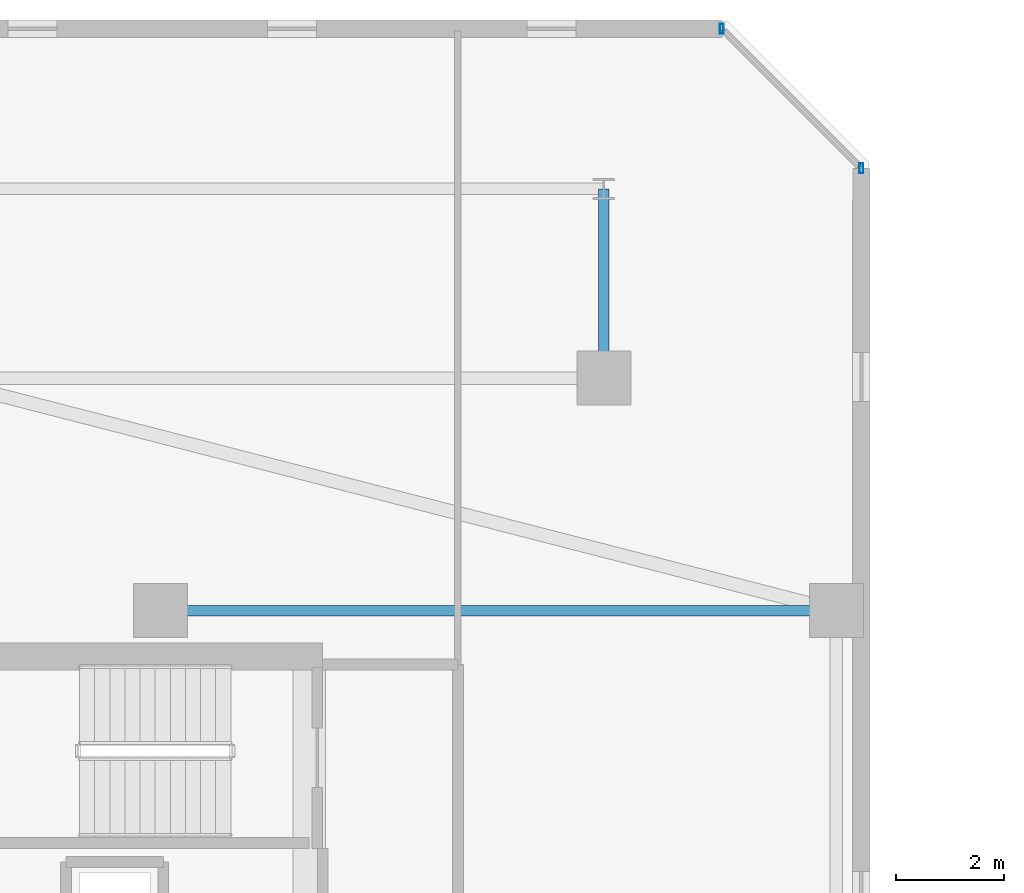
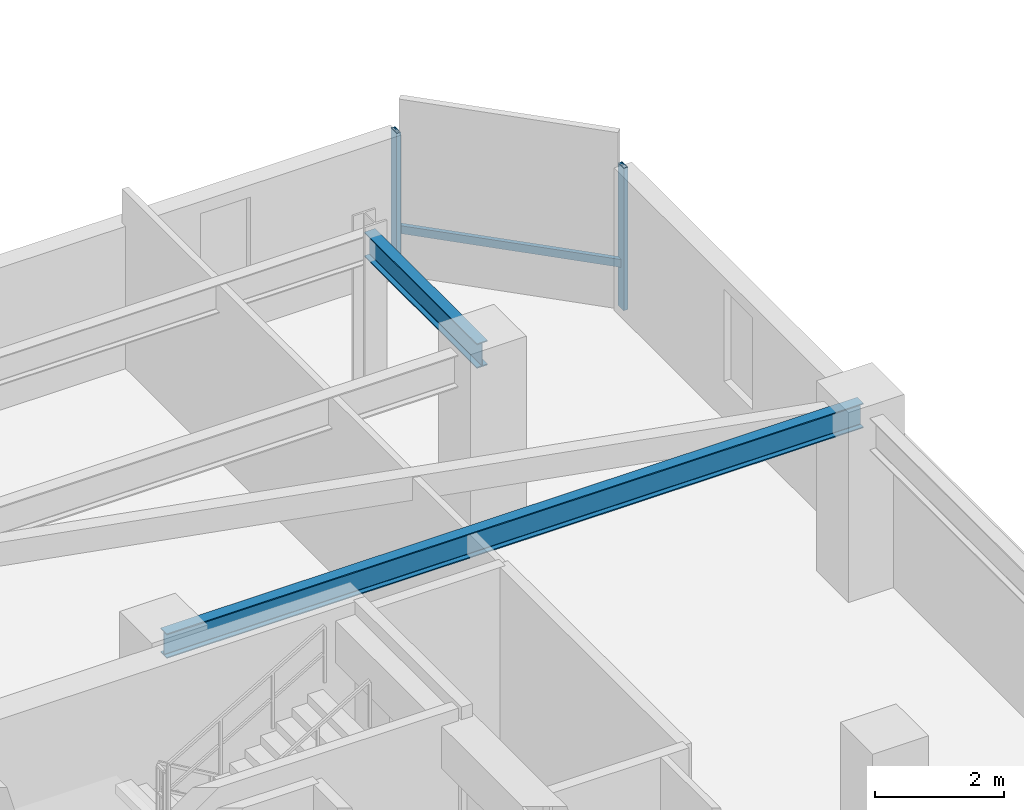
# One storey, part 10 of 33: 3 members, 2 beams, 1 element without a shape of its own.
"""IFC4 building model written with IfcOpenShell, lengths in metres."""

from ifc_helpers import new_model, si_unit, direction, frame, origin, origin_2d, place, context, subcontext, project, spatial, hollow_rectangle, i_section, extrude, material, material_profile, profile_set, type_object, element, aggregate, save


model = new_model("IFC4")

# Units and contexts
model_context = context("Model", 3, precision=1e-05, world=origin(), true_north=direction((0.0, 1.0)))
body_context = subcontext(model_context, "Body", "Model", "MODEL_VIEW")
ifc_project = project(units=[si_unit("LENGTHUNIT", "METRE"), si_unit("AREAUNIT", "SQUARE_METRE"), si_unit("VOLUMEUNIT", "CUBIC_METRE"), si_unit("PLANEANGLEUNIT", "RADIAN"), si_unit("MASSUNIT", "GRAM", prefix="KILO")], contexts=[model_context])

# Site, building, storey
site_placement = place(None, origin())
site = spatial("IfcSite", under=ifc_project, at=site_placement, CompositionType="ELEMENT")
building_placement = place(site_placement, origin())
building = spatial("IfcBuilding", under=site, at=building_placement, Name="Thornwick Lancets Civic Towers", CompositionType="ELEMENT")
storey_placement = place(building_placement, frame((0.0, 0.0, 214.5)))
storey = spatial("IfcBuildingStorey", under=building, at=storey_placement, Name="L57", CompositionType="ELEMENT", Elevation=214.5)

# Beams
ifc_material_1 = material(Name="Steel S355JR", Category="steel")
ifc_material_profile_1 = material_profile(ifc_material_1, i_section(OverallWidth=0.19287109375, OverallDepth=0.46728515625, WebThickness=0.011474609375, FlangeThickness=0.01953125, FilletRadius=0.01025390625, at=origin_2d()), Name="UKB 457x191x98")
ifc_profile_set_1 = profile_set([ifc_material_profile_1], Name="Steel S355JR")
beam_type = type_object("IfcBeamType", Name="BM_JOIST_457_98", PredefinedType="JOIST", material=ifc_profile_set_1)
beam_1_placement = place(storey_placement, frame((30.300048828125, 40.0, 3.12646484375), z_axis=(1.0, 0.0, 0.0), x_axis=(0.0, 1.0, 0.0)))
element("IfcBeam", 1, at=beam_1_placement, inside=storey, type_object=beam_type, Name="BM-RADIN-L57-A06", PredefinedType="JOIST", context=body_context, shape_type="SweptSolid", body=[
    extrude(i_section(OverallWidth=0.19287109375, OverallDepth=0.46728515625, WebThickness=0.011474609375, FlangeThickness=0.01953125, FilletRadius=0.01025390625, at=origin_2d()), origin(), (0.0, 0.0, 1.0), 12.5),
])
beam_2_placement = place(storey_placement, frame((38.5, 44.300048828125, 3.12646484375), z_axis=(0.0, 1.0, 0.0), x_axis=(-1.0, 0.0, 0.0)))
element("IfcBeam", 2, at=beam_2_placement, inside=storey, type_object=beam_type, Name="BM-RAD-L57-A09", PredefinedType="JOIST", context=body_context, shape_type="SweptSolid", body=[
    extrude(i_section(OverallWidth=0.19287109375, OverallDepth=0.46728515625, WebThickness=0.011474609375, FlangeThickness=0.01953125, FilletRadius=0.01025390625, at=origin_2d()), origin(), (0.0, 0.0, 1.0), 3.5),
])

# Curtain wall, members
ifc_material_2 = material(Name="High-zone chamfered-corner unitised glass curtain wall", Category="glass")
curtain_wall_type = type_object("IfcCurtainWallType", Name="CW_SYS_05", PredefinedType="NOTDEFINED", material=ifc_material_2)
curtain_wall_placement = place(storey_placement, origin())
curtain_wall = element("IfcCurtainWall", 3, at=curtain_wall_placement, inside=storey, type_object=curtain_wall_type, Name="L57 Curtain Wall CW-L57-A-E3", PredefinedType="NOTDEFINED")
ifc_material_3 = material(Name="Thermally broken bronze aluminium S355", Category="steel")
ifc_material_profile_2 = material_profile(ifc_material_3, hollow_rectangle(XDim=0.074951171875, YDim=0.179931640625, WallThickness=0.006103515625, at=origin_2d()), Name="RHS 180x75x6")
ifc_profile_set_2 = profile_set([ifc_material_profile_2], Name="Thermally broken bronze aluminium S355")
member_type_1 = type_object("IfcMemberType", Name="CW_MUL_180", PredefinedType="MULLION", material=ifc_profile_set_2)
member_1_placement = place(storey_placement, frame((43.2646484375, 48.181396484375, 0.0), z_axis=(0.0, 0.0, 1.0), x_axis=(1.0, 0.0, 0.0)))
member_1 = element("IfcMember", 4, at=member_1_placement, type_object=member_type_1, Name="CW-L57-A-E3 Mullion 0", PredefinedType="MULLION", context=body_context, shape_type="SweptSolid", body=[
    extrude(hollow_rectangle(XDim=0.074951171875, YDim=0.179931640625, WallThickness=0.006103515625, at=origin_2d()), origin(), (0.0, 0.0, 1.0), 2.699951171875),
])
member_2_placement = place(storey_placement, frame((40.681396484375, 50.7646484375, 0.0), z_axis=(0.0, 0.0, 1.0), x_axis=(1.0, 0.0, 0.0)))
member_2 = element("IfcMember", 5, at=member_2_placement, type_object=member_type_1, Name="CW-L57-A-E3 Mullion 1", PredefinedType="MULLION", context=body_context, shape_type="SweptSolid", body=[
    extrude(hollow_rectangle(XDim=0.074951171875, YDim=0.179931640625, WallThickness=0.006103515625, at=origin_2d()), origin(), (0.0, 0.0, 1.0), 2.699951171875),
])
ifc_material_profile_3 = material_profile(ifc_material_3, hollow_rectangle(XDim=0.074951171875, YDim=0.14990234375, WallThickness=0.0048828125, at=origin_2d()), Name="RHS 150x75x5")
ifc_profile_set_3 = profile_set([ifc_material_profile_3], Name="Thermally broken bronze aluminium S355")
member_type_2 = type_object("IfcMemberType", Name="CW_TRN_150", PredefinedType="USERDEFINED", material=ifc_profile_set_3)
member_3_placement = place(storey_placement, frame((43.25048828125, 48.195556640625, 0.85009765625), z_axis=(-0.707106781187, 0.707106781187, 0.0), x_axis=(-0.707106781187, -0.707106781187, 0.0)))
member_3 = element("IfcMember", 6, at=member_3_placement, type_object=member_type_2, Name="CW-L57-A-E3 Transom 0", ObjectType="TRANSOM", PredefinedType="USERDEFINED", context=body_context, shape_type="SweptSolid", body=[
    extrude(hollow_rectangle(XDim=0.074951171875, YDim=0.14990234375, WallThickness=0.0048828125, at=origin_2d()), origin(), (0.0, 0.0, 1.0), 3.61328125),
])
aggregate(curtain_wall, [member_1, member_2, member_3])

save(model, "model.ifc")
